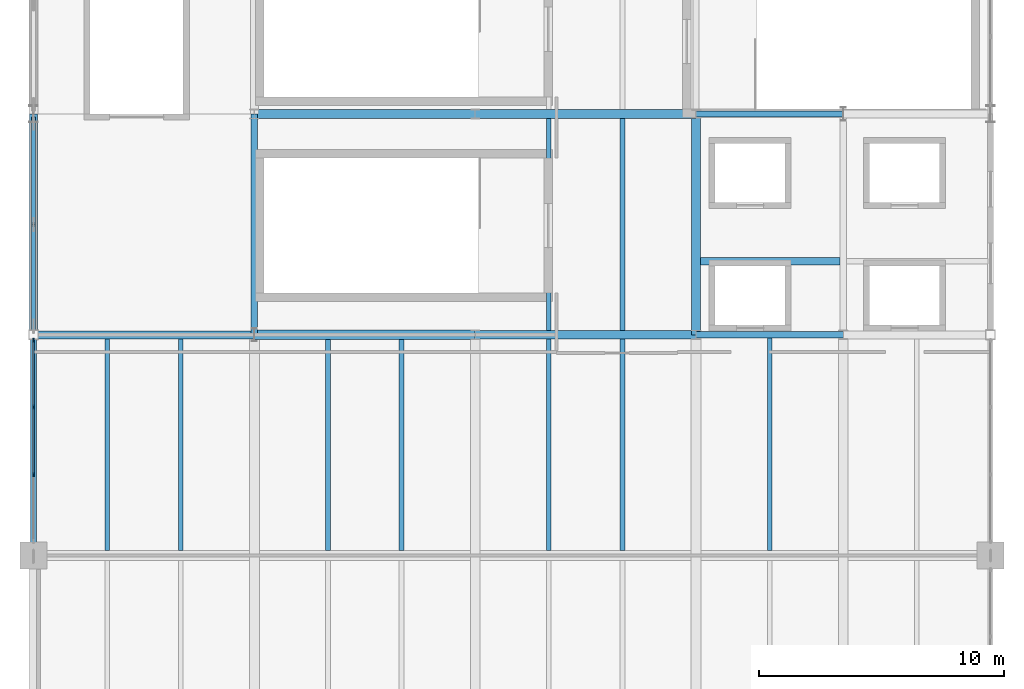
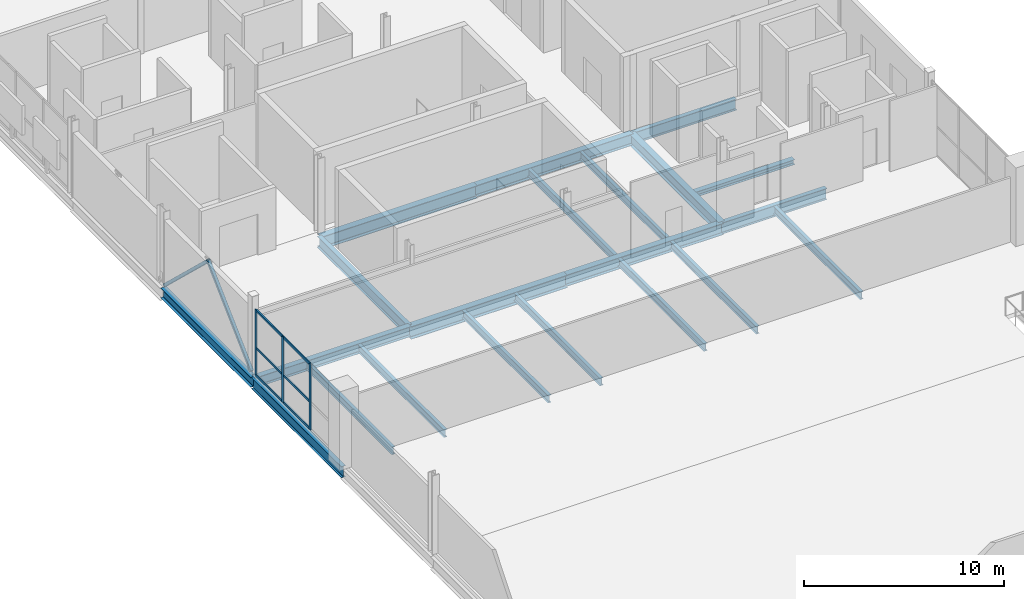
# One storey, part 14 of 29: 21 beams, 11 members, 1 element without a shape of its own.
"""IFC4 building model written with IfcOpenShell, lengths in metres."""

import ifcopenshell
import ifcopenshell.guid

model = None  # the IFC model being written
_history = None  # IfcOwnerHistory: only IFC2X3 demands one
_inside = {}  # id of a spatial element -> (the spatial element, [elements in it])
_under = {}  # id of a project, library or spatial element -> (it, [spatial elements below it])
_declared = {}  # id of a project -> (the project, [libraries it declares])
_typed = {}  # id of a type object -> (the type object, [elements of that type])
_made_of = {}  # id of a material, layer set ... -> (it, [elements and type objects made of it])


def new_model(schema):
    """Start an empty IFC model of exactly this schema.

    Asked for "IFC4X3", IfcOpenShell would pick the latest addendum, in which some entities
    have other attributes; the version numbers below select the first issue.
    IFC2X3 requires an IfcOwnerHistory on every rooted entity: one is made here for all.
    """
    global model, _history
    if schema == "IFC4X3":
        model = ifcopenshell.file(schema_version=(4, 3, 0, 0))
    else:
        model = ifcopenshell.file(schema=schema)
    _inside.clear()
    _under.clear()
    _declared.clear()
    _typed.clear()
    _made_of.clear()
    _history = None
    if model.schema == "IFC2X3":
        org = make("IfcOrganization", Name="unknown")
        user = make(
            "IfcPersonAndOrganization",
            ThePerson=make("IfcPerson", FamilyName="unknown"),
            TheOrganization=org,
        )
        app = make(
            "IfcApplication",
            ApplicationDeveloper=org,
            Version="unknown",
            ApplicationFullName="unknown",
            ApplicationIdentifier="unknown",
        )
        _history = make(
            "IfcOwnerHistory",
            OwningUser=user,
            OwningApplication=app,
            ChangeAction="ADDED",
            CreationDate=0,
        )
    return model


def make(cls, **values):
    """One entity of the class cls with the attributes given. An attribute that is None is left unset."""
    return model.create_entity(
        cls, **{name: value for name, value in values.items() if value is not None}
    )


def rooted(cls, **values):
    """An entity with a GlobalId (a new one), such as an element, a storey or a relation."""
    return make(cls, GlobalId=ifcopenshell.guid.new(), OwnerHistory=_history, **values)


def si_unit(unit_type, name, prefix=None):
    """IfcSIUnit, for example si_unit("LENGTHUNIT", "METRE", prefix="MILLI")."""
    return make("IfcSIUnit", UnitType=unit_type, Prefix=prefix, Name=name)


def assignment(units):
    """IfcUnitAssignment: the units of a project."""
    return None if units is None else make("IfcUnitAssignment", Units=units)


def point(xyz):
    """IfcCartesianPoint."""
    return None if xyz is None else make("IfcCartesianPoint", Coordinates=xyz)


def direction(xyz):
    """IfcDirection."""
    return None if xyz is None else make("IfcDirection", DirectionRatios=xyz)


def frame(location, z_axis=None, x_axis=None):
    """IfcAxis2Placement3D, a coordinate frame: its origin and axes. An axis left out is left unset."""
    return make(
        "IfcAxis2Placement3D",
        Location=point(location),
        Axis=direction(z_axis),
        RefDirection=direction(x_axis),
    )


def frame_2d(location, x_axis=None):
    """IfcAxis2Placement2D, a coordinate frame in the plane: its origin and x axis."""
    return make(
        "IfcAxis2Placement2D", Location=point(location), RefDirection=direction(x_axis)
    )


def origin():
    """The frame at (0, 0, 0) with its axes left unset."""
    return frame((0.0, 0.0, 0.0))


def origin_2d():
    """The frame at (0, 0) in the plane with its x axis left unset."""
    return frame_2d((0.0, 0.0))


def place(relative_to, where):
    """IfcLocalPlacement: puts the frame where relative to a parent placement (None: the world)."""
    return make(
        "IfcLocalPlacement", PlacementRelTo=relative_to, RelativePlacement=where
    )


def context(
    kind, dimensions, precision=None, world=None, true_north=None, identifier=None
):
    """IfcGeometricRepresentationContext, for example the 3D "Model" context."""
    return make(
        "IfcGeometricRepresentationContext",
        ContextIdentifier=identifier,
        ContextType=kind,
        CoordinateSpaceDimension=dimensions,
        Precision=precision,
        WorldCoordinateSystem=world,
        TrueNorth=true_north,
    )


def subcontext(parent, identifier, kind, view, scale=None):
    """IfcGeometricRepresentationSubContext, for example "Body" below "Model"."""
    return make(
        "IfcGeometricRepresentationSubContext",
        ContextIdentifier=identifier,
        ContextType=kind,
        ParentContext=parent,
        TargetScale=scale,
        TargetView=view,
    )


def project(units=None, contexts=None):
    """IfcProject with its units and contexts."""
    return rooted(
        "IfcProject",
        Name="project",
        RepresentationContexts=contexts,
        UnitsInContext=assignment(units),
    )


def spatial(cls, under=None, at=None, **own):
    """A site, building, storey or space (cls), placed at a placement, below another one or the project."""
    s = rooted(cls, ObjectPlacement=at, **own)
    if under is not None:
        _under.setdefault(under.id(), (under, []))[1].append(s)
    return s


def profile(cls, at=None, kind="AREA", **sizes):
    """A parametric profile (cls). Its sizes go by their IFC names, for example OverallWidth=200.0."""
    return make(cls, ProfileType=kind, Position=at, **sizes)


def rectangle(**sizes):
    """IfcRectangleProfileDef."""
    return profile("IfcRectangleProfileDef", **sizes)


def hollow_rectangle(**sizes):
    """IfcRectangleHollowProfileDef."""
    return profile("IfcRectangleHollowProfileDef", **sizes)


def i_section(**sizes):
    """IfcIShapeProfileDef."""
    return profile("IfcIShapeProfileDef", **sizes)


def extrude(swept, where, along, depth):
    """IfcExtrudedAreaSolid: the profile swept, set in the frame where, extruded along a direction by depth."""
    return make(
        "IfcExtrudedAreaSolid",
        SweptArea=swept,
        Position=where,
        ExtrudedDirection=direction(along),
        Depth=depth,
    )


def shape(context_of_items, identifier, shape_type, items):
    """IfcShapeRepresentation: the items that make up one representation, for example the "Body"."""
    return make(
        "IfcShapeRepresentation",
        ContextOfItems=context_of_items,
        RepresentationIdentifier=identifier,
        RepresentationType=shape_type,
        Items=items,
    )


def material(Name=None, Category=None):
    """IfcMaterial."""
    return make("IfcMaterial", Name=Name, Category=Category)


def layer(
    of_material, thickness, ventilated=None, Name=None, Category=None, Priority=None
):
    """IfcMaterialLayer: one layer of a wall or slab, of a material (None: an air gap)."""
    return make(
        "IfcMaterialLayer",
        Material=of_material,
        LayerThickness=thickness,
        IsVentilated=ventilated,
        Name=Name,
        Category=Category,
        Priority=Priority,
    )


def layer_set(layers, Name=None):
    """IfcMaterialLayerSet."""
    return make("IfcMaterialLayerSet", MaterialLayers=layers, LayerSetName=Name)


def material_profile(
    of_material, cross_section, Name=None, Category=None, Priority=None
):
    """IfcMaterialProfile: a cross section and its material."""
    return make(
        "IfcMaterialProfile",
        Name=Name,
        Material=of_material,
        Profile=cross_section,
        Priority=Priority,
        Category=Category,
    )


def profile_set(profiles, Name=None, composite=None):
    """IfcMaterialProfileSet."""
    return make(
        "IfcMaterialProfileSet",
        Name=Name,
        MaterialProfiles=profiles,
        CompositeProfile=composite,
    )


def made_of(thing, what):
    """Note that an element or type object is made of a material, layer set ...; save() writes the relation."""
    if what is not None:
        _made_of.setdefault(what.id(), (what, []))[1].append(thing)
    return thing


def type_object(cls, material=None, **own):
    """A type object (cls), such as IfcWallType, which elements share."""
    return made_of(rooted(cls, **own), material)


def element(
    cls,
    number,
    at=None,
    inside=None,
    cuts=None,
    type_object=None,
    material=None,
    context=None,
    identifier="Body",
    shape_type=None,
    held_by="IfcProductDefinitionShape",
    body=None,
    shapes=None,
    **own,
):
    """One element of the class cls, such as IfcWall. Its Tag is "e" and its number.

    at: its placement. inside: the storey or other place that contains it. cuts: it is an
    opening in that element (IfcRelVoidsElement). A single representation is given by context,
    identifier, shape_type and body (its items); several are given by shapes. held_by: the class
    of the entity that holds the representations. save() writes the other relations.
    """
    e = rooted(cls, Tag="e%d" % number, ObjectPlacement=at, **own)
    if body is not None:
        shapes = [shape(context, identifier, shape_type, body)]
    if shapes is not None:
        e.Representation = make(held_by, Representations=shapes)
    if inside is not None:
        _inside.setdefault(inside.id(), (inside, []))[1].append(e)
    if cuts is not None:
        rooted(
            "IfcRelVoidsElement", RelatingBuildingElement=cuts, RelatedOpeningElement=e
        )
    if type_object is not None:
        _typed.setdefault(type_object.id(), (type_object, []))[1].append(e)
    return made_of(e, material)


def aggregate(whole, parts):
    """IfcRelAggregates: a whole, such as a stair, and the parts it consists of."""
    return rooted("IfcRelAggregates", RelatingObject=whole, RelatedObjects=parts)


def save(model, path):
    """Write the relations noted so far, then the file.

    IfcRelAggregates (storeys below a building ...), IfcRelContainedInSpatialStructure (elements
    in a storey), IfcRelDefinesByType, IfcRelAssociatesMaterial and IfcRelDeclares: one each for
    every whole, place, type object, material and project.
    """
    for whole, parts in _under.values():
        aggregate(whole, parts)
    for where, things in _inside.values():
        rooted(
            "IfcRelContainedInSpatialStructure",
            RelatedElements=things,
            RelatingStructure=where,
        )
    for kind, things in _typed.values():
        rooted("IfcRelDefinesByType", RelatedObjects=things, RelatingType=kind)
    for what, things in _made_of.values():
        rooted("IfcRelAssociatesMaterial", RelatedObjects=things, RelatingMaterial=what)
    for by, libraries in _declared.values():
        rooted("IfcRelDeclares", RelatingContext=by, RelatedDefinitions=libraries)
    model.write(path)


model = new_model("IFC4")

# Units and contexts
model_context = context("Model", 3, precision=1e-05, world=origin(), true_north=direction((0.0, 1.0)))
body_context = subcontext(model_context, "Body", "Model", "MODEL_VIEW")
ifc_project = project(units=[si_unit("LENGTHUNIT", "METRE"), si_unit("AREAUNIT", "SQUARE_METRE"), si_unit("VOLUMEUNIT", "CUBIC_METRE"), si_unit("PLANEANGLEUNIT", "RADIAN"), si_unit("MASSUNIT", "GRAM", prefix="KILO")], contexts=[model_context])

# Site, building, storey
site_placement = place(None, origin())
site = spatial("IfcSite", under=ifc_project, at=site_placement, CompositionType="ELEMENT")
building_placement = place(site_placement, origin())
building = spatial("IfcBuilding", under=site, at=building_placement, Name="Qamarlyn Nura Convention Centre", CompositionType="ELEMENT")
storey_placement = place(building_placement, frame((0.0, 0.0, 25.199951171875)))
storey = spatial("IfcBuildingStorey", under=building, at=storey_placement, Name="L05", CompositionType="ELEMENT", Elevation=25.199951171875)

# Beams
ifc_material_1 = material(Name="Steel ASTM A992", Category="steel")
ifc_material_profile_1 = material_profile(ifc_material_1, i_section(OverallWidth=0.323974609375, OverallDepth=0.611083984375, WebThickness=0.0126953125, FlangeThickness=0.01904296875, FilletRadius=0.01611328125, at=origin_2d()), Name="W610X155")
ifc_profile_set_1 = profile_set([ifc_material_profile_1], Name="Steel ASTM A992")
beam_type_1 = type_object("IfcBeamType", Name="BM-GIRD-610", PredefinedType="BEAM", material=ifc_profile_set_1)
for number, where, z_axis, x_axis, name in (
    (1, (153.0, 54.0, -0.54541015625), (1.0, 0.0, 0.0), (0.0, 1.0, 0.0), "L05 girder G 13-14"),
    (2, (153.0, 54.0, -0.54541015625), (0.0, 1.0, 0.0), (-1.0, 0.0, 0.0), "L05 girder 13 G-H"),
):
    element("IfcBeam", number, at=place(storey_placement, frame(where, z_axis=z_axis, x_axis=x_axis)), inside=storey, type_object=beam_type_1, Name=name, PredefinedType="BEAM", context=body_context, shape_type="SweptSolid", body=[
        extrude(i_section(OverallWidth=0.323974609375, OverallDepth=0.611083984375, WebThickness=0.0126953125, FlangeThickness=0.01904296875, FilletRadius=0.01611328125, at=origin_2d()), origin(), (0.0, 0.0, 1.0), 9.0),
    ])
ifc_material_profile_2 = material_profile(ifc_material_1, i_section(OverallWidth=0.35498046875, OverallDepth=0.695068359375, WebThickness=0.015380859375, FlangeThickness=0.02490234375, FilletRadius=0.01806640625, at=origin_2d()), Name="W690X217")
ifc_profile_set_2 = profile_set([ifc_material_profile_2], Name="Steel ASTM A992")
beam_type_2 = type_object("IfcBeamType", Name="BM-GIRD-690A", PredefinedType="BEAM", material=ifc_profile_set_2)
for number, where, z_axis, x_axis, name in (
    (3, (171.0, 54.0, -0.58740234375), (1.0, 0.0, 0.0), (0.0, 1.0, 0.0), "L05 girder G 15-16"),
    (4, (171.0, 63.0, -0.58740234375), (1.0, 0.0, 0.0), (0.0, 1.0, 0.0), "L05 girder H 15-16"),
    (5, (180.0, 54.0, -0.58740234375), (0.0, 1.0, 0.0), (-1.0, 0.0, 0.0), "L05 girder 16 G-H"),
):
    element("IfcBeam", number, at=place(storey_placement, frame(where, z_axis=z_axis, x_axis=x_axis)), inside=storey, type_object=beam_type_2, Name=name, PredefinedType="BEAM", context=body_context, shape_type="SweptSolid", body=[
        extrude(i_section(OverallWidth=0.35498046875, OverallDepth=0.695068359375, WebThickness=0.015380859375, FlangeThickness=0.02490234375, FilletRadius=0.01806640625, at=origin_2d()), origin(), (0.0, 0.0, 1.0), 9.0),
    ])
ifc_material_profile_3 = material_profile(ifc_material_1, i_section(OverallWidth=0.25390625, OverallDepth=0.68408203125, WebThickness=0.012451171875, FlangeThickness=0.01904296875, FilletRadius=0.01806640625, at=origin_2d()), Name="W690X140")
ifc_profile_set_3 = profile_set([ifc_material_profile_3], Name="Steel ASTM A992")
beam_type_3 = type_object("IfcBeamType", Name="BM-GIRD-690B", PredefinedType="BEAM", material=ifc_profile_set_3)
for number, where, z_axis, x_axis, name in (
    (6, (180.0, 54.0, -0.58203125), (1.0, 0.0, 0.0), (0.0, 1.0, 0.0), "L05 girder G 16-17"),
    (7, (180.0, 63.0, -0.58203125), (1.0, 0.0, 0.0), (0.0, 1.0, 0.0), "L05 girder H 16-17"),
):
    element("IfcBeam", number, at=place(storey_placement, frame(where, z_axis=z_axis, x_axis=x_axis)), inside=storey, type_object=beam_type_3, Name=name, PredefinedType="BEAM", context=body_context, shape_type="SweptSolid", body=[
        extrude(i_section(OverallWidth=0.25390625, OverallDepth=0.68408203125, WebThickness=0.012451171875, FlangeThickness=0.01904296875, FilletRadius=0.01806640625, at=origin_2d()), origin(), (0.0, 0.0, 1.0), 6.0),
    ])
for number, where, z_axis, x_axis, name in (
    (8, (153.0, 45.0, -0.58203125), (0.0, 1.0, 0.0), (-1.0, 0.0, 0.0), "L05 girder 13 F-G"),
    (9, (162.0, 54.0, -0.58203125), (0.0, 1.0, 0.0), (-1.0, 0.0, 0.0), "L05 girder 14 G-H"),
):
    element("IfcBeam", number, at=place(storey_placement, frame(where, z_axis=z_axis, x_axis=x_axis)), inside=storey, type_object=beam_type_3, Name=name, PredefinedType="BEAM", context=body_context, shape_type="SweptSolid", body=[
        extrude(i_section(OverallWidth=0.25390625, OverallDepth=0.68408203125, WebThickness=0.012451171875, FlangeThickness=0.01904296875, FilletRadius=0.01806640625, at=origin_2d()), origin(), (0.0, 0.0, 1.0), 9.0),
    ])
ifc_material_profile_4 = material_profile(ifc_material_1, i_section(OverallWidth=0.381103515625, OverallDepth=0.77294921875, WebThickness=0.0166015625, FlangeThickness=0.027587890625, FilletRadius=0.02001953125, at=origin_2d()), Name="W760X257")
ifc_profile_set_4 = profile_set([ifc_material_profile_4], Name="Steel ASTM A992")
beam_type_4 = type_object("IfcBeamType", Name="BM-GIRD-760", PredefinedType="BEAM", material=ifc_profile_set_4)
for number, where, z_axis, x_axis, name in (
    (10, (162.0, 54.0, -0.62646484375), (1.0, 0.0, 0.0), (0.0, 1.0, 0.0), "L05 girder G 14-15"),
    (11, (162.0, 63.0, -0.62646484375), (1.0, 0.0, 0.0), (0.0, 1.0, 0.0), "L05 girder H 14-15"),
):
    element("IfcBeam", number, at=place(storey_placement, frame(where, z_axis=z_axis, x_axis=x_axis)), inside=storey, type_object=beam_type_4, Name=name, PredefinedType="BEAM", context=body_context, shape_type="SweptSolid", body=[
        extrude(i_section(OverallWidth=0.381103515625, OverallDepth=0.77294921875, WebThickness=0.0166015625, FlangeThickness=0.027587890625, FilletRadius=0.02001953125, at=origin_2d()), origin(), (0.0, 0.0, 1.0), 9.0),
    ])
ifc_material_profile_5 = material_profile(ifc_material_1, i_section(OverallWidth=0.304931640625, OverallDepth=0.30810546875, WebThickness=0.010009765625, FlangeThickness=0.015380859375, FilletRadius=0.014892578125, at=origin_2d()), Name="W310X97")
ifc_profile_set_5 = profile_set([ifc_material_profile_5], Name="Steel ASTM A992")
beam_type_5 = type_object("IfcBeamType", Name="BM-JOIST-310", PredefinedType="JOIST", material=ifc_profile_set_5)
beam_1_placement = place(storey_placement, frame((180.177490234375, 57.0, -0.39404296875), z_axis=(1.0, 0.0, 0.0), x_axis=(0.0, 1.0, 0.0)))
element("IfcBeam", 12, at=beam_1_placement, inside=storey, type_object=beam_type_5, Name="L05 composite joist 16-17/G+1", PredefinedType="JOIST", context=body_context, shape_type="SweptSolid", body=[
    extrude(i_section(OverallWidth=0.304931640625, OverallDepth=0.30810546875, WebThickness=0.010009765625, FlangeThickness=0.015380859375, FilletRadius=0.014892578125, at=origin_2d()), origin(), (0.0, 0.0, 1.0), 5.695556640625),
])
ifc_material_profile_6 = material_profile(ifc_material_1, i_section(OverallWidth=0.18994140625, OverallDepth=0.45703125, WebThickness=0.009033203125, FlangeThickness=0.014404296875, FilletRadius=0.012939453125, at=origin_2d()), Name="W460X74")
ifc_profile_set_6 = profile_set([ifc_material_profile_6], Name="Steel ASTM A992")
beam_type_6 = type_object("IfcBeamType", Name="BM-JOIST-460", PredefinedType="JOIST", material=ifc_profile_set_6)
for number, where, z_axis, x_axis, name in (
    (13, (156.0, 45.199951171875, -0.468505859375), (0.0, 1.0, 0.0), (-1.0, 0.0, 0.0), "L05 secondary joist 13-14/F-G-07"),
    (14, (159.0, 45.199951171875, -0.468505859375), (0.0, 1.0, 0.0), (-1.0, 0.0, 0.0), "L05 secondary joist 13-14/F-G-08"),
):
    element("IfcBeam", number, at=place(storey_placement, frame(where, z_axis=z_axis, x_axis=x_axis)), inside=storey, type_object=beam_type_6, Name=name, PredefinedType="JOIST", context=body_context, shape_type="SweptSolid", body=[
        extrude(i_section(OverallWidth=0.18994140625, OverallDepth=0.45703125, WebThickness=0.009033203125, FlangeThickness=0.014404296875, FilletRadius=0.012939453125, at=origin_2d()), origin(), (0.0, 0.0, 1.0), 8.637939453125),
    ])
for number, where, z_axis, x_axis, name in (
    (15, (165.0, 45.199951171875, -0.468505859375), (0.0, 1.0, 0.0), (-1.0, 0.0, 0.0), "L05 secondary joist 14-15/F-G-15"),
    (16, (168.0, 45.199951171875, -0.468505859375), (0.0, 1.0, 0.0), (-1.0, 0.0, 0.0), "L05 secondary joist 14-15/F-G-16"),
):
    element("IfcBeam", number, at=place(storey_placement, frame(where, z_axis=z_axis, x_axis=x_axis)), inside=storey, type_object=beam_type_6, Name=name, PredefinedType="JOIST", context=body_context, shape_type="SweptSolid", body=[
        extrude(i_section(OverallWidth=0.18994140625, OverallDepth=0.45703125, WebThickness=0.009033203125, FlangeThickness=0.014404296875, FilletRadius=0.012939453125, at=origin_2d()), origin(), (0.0, 0.0, 1.0), 8.609619140625),
    ])
for number, where, z_axis, x_axis, name in (
    (17, (174.0, 45.199951171875, -0.468505859375), (0.0, 1.0, 0.0), (-1.0, 0.0, 0.0), "L05 secondary joist 15-16/F-G-23"),
    (18, (177.0, 45.199951171875, -0.468505859375), (0.0, 1.0, 0.0), (-1.0, 0.0, 0.0), "L05 secondary joist 15-16/F-G-24"),
):
    element("IfcBeam", number, at=place(storey_placement, frame(where, z_axis=z_axis, x_axis=x_axis)), inside=storey, type_object=beam_type_6, Name=name, PredefinedType="JOIST", context=body_context, shape_type="SweptSolid", body=[
        extrude(i_section(OverallWidth=0.18994140625, OverallDepth=0.45703125, WebThickness=0.009033203125, FlangeThickness=0.014404296875, FilletRadius=0.012939453125, at=origin_2d()), origin(), (0.0, 0.0, 1.0), 8.62255859375),
    ])
for number, where, z_axis, x_axis, name in (
    (19, (174.0, 54.177490234375, -0.468505859375), (0.0, 1.0, 0.0), (-1.0, 0.0, 0.0), "L05 secondary joist 15-16/G-H-25"),
    (20, (177.0, 54.177490234375, -0.468505859375), (0.0, 1.0, 0.0), (-1.0, 0.0, 0.0), "L05 secondary joist 15-16/G-H-26"),
):
    element("IfcBeam", number, at=place(storey_placement, frame(where, z_axis=z_axis, x_axis=x_axis)), inside=storey, type_object=beam_type_6, Name=name, PredefinedType="JOIST", context=body_context, shape_type="SweptSolid", body=[
        extrude(i_section(OverallWidth=0.18994140625, OverallDepth=0.45703125, WebThickness=0.009033203125, FlangeThickness=0.014404296875, FilletRadius=0.012939453125, at=origin_2d()), origin(), (0.0, 0.0, 1.0), 8.64501953125),
    ])
beam_2_placement = place(storey_placement, frame((183.0, 45.199951171875, -0.468505859375), z_axis=(0.0, 1.0, 0.0), x_axis=(-1.0, 0.0, 0.0)))
element("IfcBeam", 21, at=beam_2_placement, inside=storey, type_object=beam_type_6, Name="L05 secondary joist 16-17/F-G-32", PredefinedType="JOIST", context=body_context, shape_type="SweptSolid", body=[
    extrude(i_section(OverallWidth=0.18994140625, OverallDepth=0.45703125, WebThickness=0.009033203125, FlangeThickness=0.014404296875, FilletRadius=0.012939453125, at=origin_2d()), origin(), (0.0, 0.0, 1.0), 8.673095703125),
])

# Members
ifc_material_2 = material(Name="Steel ASTM A500 Grade C", Category="steel")
ifc_material_profile_7 = material_profile(ifc_material_2, hollow_rectangle(XDim=0.179931640625, YDim=0.179931640625, WallThickness=0.008056640625, InnerFilletRadius=0.008056640625, OuterFilletRadius=0.01611328125, at=origin_2d()), Name="HSS180X180X8")
ifc_profile_set_7 = profile_set([ifc_material_profile_7], Name="Steel ASTM A500 Grade C")
member_type_1 = type_object("IfcMemberType", Name="CBF-BRC-180", PredefinedType="BRACE", material=ifc_profile_set_7)
for number, where, z_axis, x_axis, name in (
    (22, (153.0, 54.179931640625, 0.0), (0.0, 0.724922715677, 0.688830208612), (-1.0, 0.0, 0.0), "L05 SCBF chevron brace CBF-E3L"),
    (23, (153.0, 62.820068359375, 0.0), (0.0, -0.724922715677, 0.688830208612), (1.0, 0.0, 0.0), "L05 SCBF chevron brace CBF-E3R"),
):
    element("IfcMember", number, at=place(storey_placement, frame(where, z_axis=z_axis, x_axis=x_axis)), inside=storey, type_object=member_type_1, Name=name, PredefinedType="BRACE", context=body_context, shape_type="SweptSolid", body=[
        extrude(hollow_rectangle(XDim=0.179931640625, YDim=0.179931640625, WallThickness=0.008056640625, InnerFilletRadius=0.008056640625, OuterFilletRadius=0.01611328125, at=origin_2d()), origin(), (0.0, 0.0, 1.0), 5.959228515625),
    ])

# Curtain wall, members
ifc_material_3 = material(Name="Double-silver low-E insulated glass", Category="glass")
ifc_layer = layer(ifc_material_3, 0.179931640625, Name="CW-UNIT-160")
ifc_layer_set = layer_set([ifc_layer], Name="Double-silver low-E insulated glass")
curtain_wall_type = type_object("IfcCurtainWallType", Name="CW-UNIT-160", PredefinedType="NOTDEFINED", material=ifc_layer_set)
curtain_wall_placement = place(storey_placement, origin())
curtain_wall = element("IfcCurtainWall", 24, at=curtain_wall_placement, inside=storey, type_object=curtain_wall_type, Name="L05 unitised curtain wall CRT-45-1", PredefinedType="NOTDEFINED")
ifc_material_4 = material(Name="Champagne-anodised marine aluminium", Category="aluminium")
ifc_material_profile_8 = material_profile(ifc_material_4, rectangle(XDim=0.070068359375, YDim=0.179931640625, at=origin_2d()), Name="ALU MULLION 70x180")
ifc_profile_set_8 = profile_set([ifc_material_profile_8], Name="Champagne-anodised marine aluminium")
member_type_2 = type_object("IfcMemberType", Name="CWM-180", PredefinedType="MULLION", material=ifc_profile_set_8)
member_1_placement = place(storey_placement, frame((153.0, 48.300048828125, 0.0), z_axis=(0.0, 0.0, 1.0), x_axis=(-1.0, 0.0, 0.0)))
member_1 = element("IfcMember", 25, at=member_1_placement, type_object=member_type_2, Name="CW160 mullion 2", PredefinedType="MULLION", context=body_context, shape_type="SweptSolid", body=[
    extrude(rectangle(XDim=0.070068359375, YDim=0.179931640625, at=origin_2d()), origin(), (0.0, 0.0, 1.0), 4.011962890625),
])
member_2_placement = place(storey_placement, frame((153.0, 51.050048828125, 0.0), z_axis=(0.0, 0.0, 1.0), x_axis=(-1.0, 0.0, 0.0)))
member_2 = element("IfcMember", 26, at=member_2_placement, type_object=member_type_2, Name="CW160 mullion 3", PredefinedType="MULLION", context=body_context, shape_type="SweptSolid", body=[
    extrude(rectangle(XDim=0.070068359375, YDim=0.179931640625, at=origin_2d()), origin(), (0.0, 0.0, 1.0), 4.011962890625),
])
member_3_placement = place(storey_placement, frame((153.0, 53.764892578125, 0.0), z_axis=(0.0, 0.0, 1.0), x_axis=(-1.0, 0.0, 0.0)))
member_3 = element("IfcMember", 27, at=member_3_placement, type_object=member_type_2, Name="CW160 mullion 4", PredefinedType="MULLION", context=body_context, shape_type="SweptSolid", body=[
    extrude(rectangle(XDim=0.070068359375, YDim=0.179931640625, at=origin_2d()), origin(), (0.0, 0.0, 1.0), 4.011962890625),
])
ifc_material_profile_9 = material_profile(ifc_material_4, rectangle(XDim=0.070068359375, YDim=0.139892578125, at=origin_2d()), Name="ALU TRANSOM 70x140")
ifc_profile_set_9 = profile_set([ifc_material_profile_9], Name="Champagne-anodised marine aluminium")
member_type_3 = type_object("IfcMemberType", Name="CWT-140", PredefinedType="USERDEFINED", material=ifc_profile_set_9)
member_4_placement = place(storey_placement, frame((153.0, 48.3349609375, 0.03515625), z_axis=(0.0, 1.0, 0.0), x_axis=(-1.0, 0.0, 0.0)))
member_4 = element("IfcMember", 28, at=member_4_placement, type_object=member_type_3, Name="CW160 transom 2.1", ObjectType="TRANSOM", PredefinedType="USERDEFINED", context=body_context, shape_type="SweptSolid", body=[
    extrude(rectangle(XDim=0.070068359375, YDim=0.139892578125, at=origin_2d()), origin(), (0.0, 0.0, 1.0), 2.679931640625),
])
member_5_placement = place(storey_placement, frame((153.0, 48.3349609375, 1.68505859375), z_axis=(0.0, 1.0, 0.0), x_axis=(-1.0, 0.0, 0.0)))
member_5 = element("IfcMember", 29, at=member_5_placement, type_object=member_type_3, Name="CW160 transom 2.2", ObjectType="TRANSOM", PredefinedType="USERDEFINED", context=body_context, shape_type="SweptSolid", body=[
    extrude(rectangle(XDim=0.070068359375, YDim=0.139892578125, at=origin_2d()), origin(), (0.0, 0.0, 1.0), 2.679931640625),
])
member_6_placement = place(storey_placement, frame((153.0, 48.3349609375, 3.97705078125), z_axis=(0.0, 1.0, 0.0), x_axis=(-1.0, 0.0, 0.0)))
member_6 = element("IfcMember", 30, at=member_6_placement, type_object=member_type_3, Name="CW160 transom 2.3", ObjectType="TRANSOM", PredefinedType="USERDEFINED", context=body_context, shape_type="SweptSolid", body=[
    extrude(rectangle(XDim=0.070068359375, YDim=0.139892578125, at=origin_2d()), origin(), (0.0, 0.0, 1.0), 2.679931640625),
])
member_7_placement = place(storey_placement, frame((153.0, 51.0849609375, 0.03515625), z_axis=(0.0, 1.0, 0.0), x_axis=(-1.0, 0.0, 0.0)))
member_7 = element("IfcMember", 31, at=member_7_placement, type_object=member_type_3, Name="CW160 transom 3.1", ObjectType="TRANSOM", PredefinedType="USERDEFINED", context=body_context, shape_type="SweptSolid", body=[
    extrude(rectangle(XDim=0.070068359375, YDim=0.139892578125, at=origin_2d()), origin(), (0.0, 0.0, 1.0), 2.64501953125),
])
member_8_placement = place(storey_placement, frame((153.0, 51.0849609375, 1.68505859375), z_axis=(0.0, 1.0, 0.0), x_axis=(-1.0, 0.0, 0.0)))
member_8 = element("IfcMember", 32, at=member_8_placement, type_object=member_type_3, Name="CW160 transom 3.2", ObjectType="TRANSOM", PredefinedType="USERDEFINED", context=body_context, shape_type="SweptSolid", body=[
    extrude(rectangle(XDim=0.070068359375, YDim=0.139892578125, at=origin_2d()), origin(), (0.0, 0.0, 1.0), 2.64501953125),
])
member_9_placement = place(storey_placement, frame((153.0, 51.0849609375, 3.97705078125), z_axis=(0.0, 1.0, 0.0), x_axis=(-1.0, 0.0, 0.0)))
member_9 = element("IfcMember", 33, at=member_9_placement, type_object=member_type_3, Name="CW160 transom 3.3", ObjectType="TRANSOM", PredefinedType="USERDEFINED", context=body_context, shape_type="SweptSolid", body=[
    extrude(rectangle(XDim=0.070068359375, YDim=0.139892578125, at=origin_2d()), origin(), (0.0, 0.0, 1.0), 2.64501953125),
])
aggregate(curtain_wall, [member_1, member_2, member_3, member_4, member_5, member_6, member_7, member_8, member_9])

save(model, "model.ifc")
